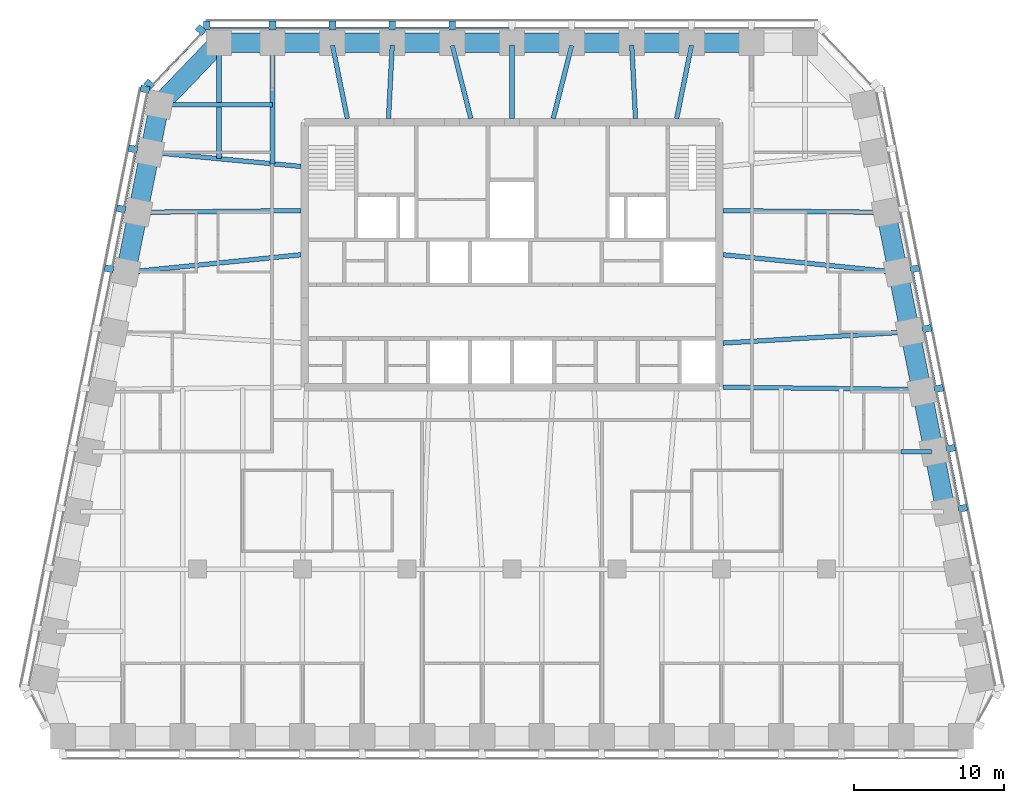
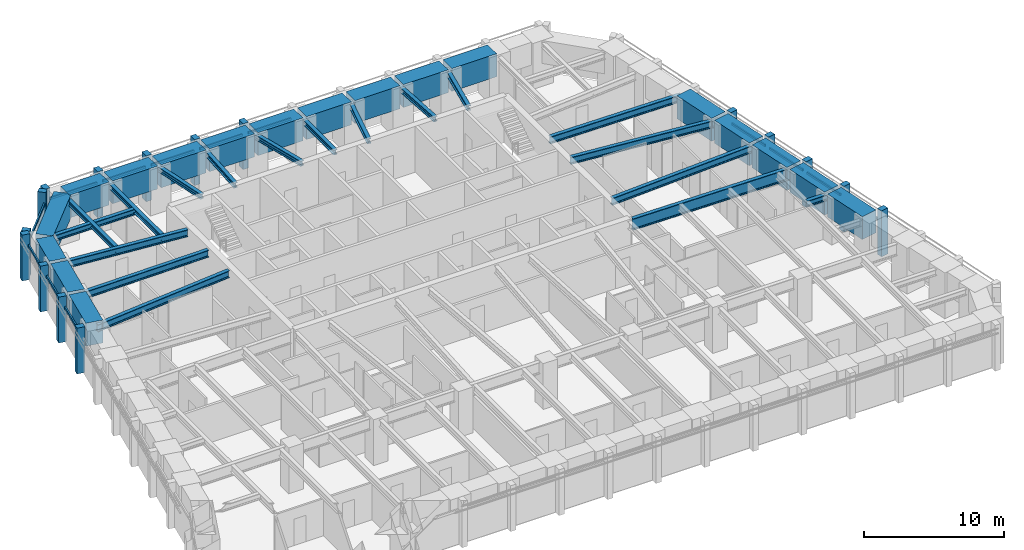
# One storey, part 3 of 11: 36 beams, 29 members, 4 elements without a shape of their own.
"""IFC4 building model written with IfcOpenShell, lengths in metres."""

import ifcopenshell
import ifcopenshell.guid

model = None  # the IFC model being written
_history = None  # IfcOwnerHistory: only IFC2X3 demands one
_inside = {}  # id of a spatial element -> (the spatial element, [elements in it])
_under = {}  # id of a project, library or spatial element -> (it, [spatial elements below it])
_declared = {}  # id of a project -> (the project, [libraries it declares])
_typed = {}  # id of a type object -> (the type object, [elements of that type])
_made_of = {}  # id of a material, layer set ... -> (it, [elements and type objects made of it])


def new_model(schema):
    """Start an empty IFC model of exactly this schema.

    Asked for "IFC4X3", IfcOpenShell would pick the latest addendum, in which some entities
    have other attributes; the version numbers below select the first issue.
    IFC2X3 requires an IfcOwnerHistory on every rooted entity: one is made here for all.
    """
    global model, _history
    if schema == "IFC4X3":
        model = ifcopenshell.file(schema_version=(4, 3, 0, 0))
    else:
        model = ifcopenshell.file(schema=schema)
    _inside.clear()
    _under.clear()
    _declared.clear()
    _typed.clear()
    _made_of.clear()
    _history = None
    if model.schema == "IFC2X3":
        org = make("IfcOrganization", Name="unknown")
        user = make(
            "IfcPersonAndOrganization",
            ThePerson=make("IfcPerson", FamilyName="unknown"),
            TheOrganization=org,
        )
        app = make(
            "IfcApplication",
            ApplicationDeveloper=org,
            Version="unknown",
            ApplicationFullName="unknown",
            ApplicationIdentifier="unknown",
        )
        _history = make(
            "IfcOwnerHistory",
            OwningUser=user,
            OwningApplication=app,
            ChangeAction="ADDED",
            CreationDate=0,
        )
    return model


def make(cls, **values):
    """One entity of the class cls with the attributes given. An attribute that is None is left unset."""
    return model.create_entity(
        cls, **{name: value for name, value in values.items() if value is not None}
    )


def rooted(cls, **values):
    """An entity with a GlobalId (a new one), such as an element, a storey or a relation."""
    return make(cls, GlobalId=ifcopenshell.guid.new(), OwnerHistory=_history, **values)


def si_unit(unit_type, name, prefix=None):
    """IfcSIUnit, for example si_unit("LENGTHUNIT", "METRE", prefix="MILLI")."""
    return make("IfcSIUnit", UnitType=unit_type, Prefix=prefix, Name=name)


def assignment(units):
    """IfcUnitAssignment: the units of a project."""
    return None if units is None else make("IfcUnitAssignment", Units=units)


def point(xyz):
    """IfcCartesianPoint."""
    return None if xyz is None else make("IfcCartesianPoint", Coordinates=xyz)


def direction(xyz):
    """IfcDirection."""
    return None if xyz is None else make("IfcDirection", DirectionRatios=xyz)


def frame(location, z_axis=None, x_axis=None):
    """IfcAxis2Placement3D, a coordinate frame: its origin and axes. An axis left out is left unset."""
    return make(
        "IfcAxis2Placement3D",
        Location=point(location),
        Axis=direction(z_axis),
        RefDirection=direction(x_axis),
    )


def frame_2d(location, x_axis=None):
    """IfcAxis2Placement2D, a coordinate frame in the plane: its origin and x axis."""
    return make(
        "IfcAxis2Placement2D", Location=point(location), RefDirection=direction(x_axis)
    )


def origin():
    """The frame at (0, 0, 0) with its axes left unset."""
    return frame((0.0, 0.0, 0.0))


def origin_2d():
    """The frame at (0, 0) in the plane with its x axis left unset."""
    return frame_2d((0.0, 0.0))


def place(relative_to, where):
    """IfcLocalPlacement: puts the frame where relative to a parent placement (None: the world)."""
    return make(
        "IfcLocalPlacement", PlacementRelTo=relative_to, RelativePlacement=where
    )


def context(
    kind, dimensions, precision=None, world=None, true_north=None, identifier=None
):
    """IfcGeometricRepresentationContext, for example the 3D "Model" context."""
    return make(
        "IfcGeometricRepresentationContext",
        ContextIdentifier=identifier,
        ContextType=kind,
        CoordinateSpaceDimension=dimensions,
        Precision=precision,
        WorldCoordinateSystem=world,
        TrueNorth=true_north,
    )


def subcontext(parent, identifier, kind, view, scale=None):
    """IfcGeometricRepresentationSubContext, for example "Body" below "Model"."""
    return make(
        "IfcGeometricRepresentationSubContext",
        ContextIdentifier=identifier,
        ContextType=kind,
        ParentContext=parent,
        TargetScale=scale,
        TargetView=view,
    )


def project(units=None, contexts=None):
    """IfcProject with its units and contexts."""
    return rooted(
        "IfcProject",
        Name="project",
        RepresentationContexts=contexts,
        UnitsInContext=assignment(units),
    )


def spatial(cls, under=None, at=None, **own):
    """A site, building, storey or space (cls), placed at a placement, below another one or the project."""
    s = rooted(cls, ObjectPlacement=at, **own)
    if under is not None:
        _under.setdefault(under.id(), (under, []))[1].append(s)
    return s


def profile(cls, at=None, kind="AREA", **sizes):
    """A parametric profile (cls). Its sizes go by their IFC names, for example OverallWidth=200.0."""
    return make(cls, ProfileType=kind, Position=at, **sizes)


def rectangle(**sizes):
    """IfcRectangleProfileDef."""
    return profile("IfcRectangleProfileDef", **sizes)


def i_section(**sizes):
    """IfcIShapeProfileDef."""
    return profile("IfcIShapeProfileDef", **sizes)


def extrude(swept, where, along, depth):
    """IfcExtrudedAreaSolid: the profile swept, set in the frame where, extruded along a direction by depth."""
    return make(
        "IfcExtrudedAreaSolid",
        SweptArea=swept,
        Position=where,
        ExtrudedDirection=direction(along),
        Depth=depth,
    )


def shape(context_of_items, identifier, shape_type, items):
    """IfcShapeRepresentation: the items that make up one representation, for example the "Body"."""
    return make(
        "IfcShapeRepresentation",
        ContextOfItems=context_of_items,
        RepresentationIdentifier=identifier,
        RepresentationType=shape_type,
        Items=items,
    )


def material(Name=None, Category=None):
    """IfcMaterial."""
    return make("IfcMaterial", Name=Name, Category=Category)


def material_profile(
    of_material, cross_section, Name=None, Category=None, Priority=None
):
    """IfcMaterialProfile: a cross section and its material."""
    return make(
        "IfcMaterialProfile",
        Name=Name,
        Material=of_material,
        Profile=cross_section,
        Priority=Priority,
        Category=Category,
    )


def profile_set(profiles, Name=None, composite=None):
    """IfcMaterialProfileSet."""
    return make(
        "IfcMaterialProfileSet",
        Name=Name,
        MaterialProfiles=profiles,
        CompositeProfile=composite,
    )


def made_of(thing, what):
    """Note that an element or type object is made of a material, layer set ...; save() writes the relation."""
    if what is not None:
        _made_of.setdefault(what.id(), (what, []))[1].append(thing)
    return thing


def type_object(cls, material=None, **own):
    """A type object (cls), such as IfcWallType, which elements share."""
    return made_of(rooted(cls, **own), material)


def element(
    cls,
    number,
    at=None,
    inside=None,
    cuts=None,
    type_object=None,
    material=None,
    context=None,
    identifier="Body",
    shape_type=None,
    held_by="IfcProductDefinitionShape",
    body=None,
    shapes=None,
    **own,
):
    """One element of the class cls, such as IfcWall. Its Tag is "e" and its number.

    at: its placement. inside: the storey or other place that contains it. cuts: it is an
    opening in that element (IfcRelVoidsElement). A single representation is given by context,
    identifier, shape_type and body (its items); several are given by shapes. held_by: the class
    of the entity that holds the representations. save() writes the other relations.
    """
    e = rooted(cls, Tag="e%d" % number, ObjectPlacement=at, **own)
    if body is not None:
        shapes = [shape(context, identifier, shape_type, body)]
    if shapes is not None:
        e.Representation = make(held_by, Representations=shapes)
    if inside is not None:
        _inside.setdefault(inside.id(), (inside, []))[1].append(e)
    if cuts is not None:
        rooted(
            "IfcRelVoidsElement", RelatingBuildingElement=cuts, RelatedOpeningElement=e
        )
    if type_object is not None:
        _typed.setdefault(type_object.id(), (type_object, []))[1].append(e)
    return made_of(e, material)


def aggregate(whole, parts):
    """IfcRelAggregates: a whole, such as a stair, and the parts it consists of."""
    return rooted("IfcRelAggregates", RelatingObject=whole, RelatedObjects=parts)


def save(model, path):
    """Write the relations noted so far, then the file.

    IfcRelAggregates (storeys below a building ...), IfcRelContainedInSpatialStructure (elements
    in a storey), IfcRelDefinesByType, IfcRelAssociatesMaterial and IfcRelDeclares: one each for
    every whole, place, type object, material and project.
    """
    for whole, parts in _under.values():
        aggregate(whole, parts)
    for where, things in _inside.values():
        rooted(
            "IfcRelContainedInSpatialStructure",
            RelatedElements=things,
            RelatingStructure=where,
        )
    for kind, things in _typed.values():
        rooted("IfcRelDefinesByType", RelatedObjects=things, RelatingType=kind)
    for what, things in _made_of.values():
        rooted("IfcRelAssociatesMaterial", RelatedObjects=things, RelatingMaterial=what)
    for by, libraries in _declared.values():
        rooted("IfcRelDeclares", RelatingContext=by, RelatedDefinitions=libraries)
    model.write(path)


model = new_model("IFC4")

# Units and contexts
model_context = context("Model", 3, precision=1e-05, world=origin(), true_north=direction((0.0, 1.0)))
body_context = subcontext(model_context, "Body", "Model", "MODEL_VIEW")
ifc_project = project(units=[si_unit("LENGTHUNIT", "METRE"), si_unit("AREAUNIT", "SQUARE_METRE"), si_unit("VOLUMEUNIT", "CUBIC_METRE"), si_unit("PLANEANGLEUNIT", "RADIAN"), si_unit("MASSUNIT", "GRAM", prefix="KILO")], contexts=[model_context])

# Site, building, storey
site_placement = place(None, origin())
site = spatial("IfcSite", under=ifc_project, at=site_placement, CompositionType="ELEMENT")
building_placement = place(site_placement, origin())
building = spatial("IfcBuilding", under=site, at=building_placement, Name="Isbrekke Arena Tower", CompositionType="ELEMENT")
storey_placement = place(building_placement, frame((0.0, 0.0, 252.0)))
storey = spatial("IfcBuildingStorey", under=building, at=storey_placement, Name="L58", CompositionType="ELEMENT", Elevation=252.0)

# Beams
ifc_material_1 = material(Name="Steel S355", Category="steel")
ifc_material_profile_1 = material_profile(ifc_material_1, i_section(OverallWidth=0.304931640625, OverallDepth=0.6201171875, WebThickness=0.02099609375, FlangeThickness=0.0400390625, FilletRadius=0.027099609375, at=origin_2d()), Name="HEM 600")
ifc_profile_set_1 = profile_set([ifc_material_profile_1], Name="Steel S355")
beam_type_1 = type_object("IfcBeamType", Name="B4 HEM 600", PredefinedType="BEAM", material=ifc_profile_set_1)
beam_1_placement = place(storey_placement, frame((26.431884765625, 9.837646484375, 3.5400390625), z_axis=(-0.998216240514, -0.059702070095, 0.0), x_axis=(0.059702070095, -0.998216240514, 0.0)))
element("IfcBeam", 1, at=beam_1_placement, inside=storey, type_object=beam_type_1, Name="B4 beam E-E07 L58", PredefinedType="BEAM", context=body_context, shape_type="SweptSolid", body=[
    extrude(i_section(OverallWidth=0.304931640625, OverallDepth=0.6201171875, WebThickness=0.02099609375, FlangeThickness=0.0400390625, FilletRadius=0.027099609375, at=origin_2d()), origin(), (0.0, 0.0, 1.0), 12.353759765625),
])
beam_2_placement = place(storey_placement, frame((25.625732421875, 13.83984375, 3.5400390625), z_axis=(-0.994972081505, 0.100152668587, 0.0), x_axis=(-0.100152668587, -0.994972081505, 0.0)))
element("IfcBeam", 2, at=beam_2_placement, inside=storey, type_object=beam_type_1, Name="B4 beam E-E08 L58", PredefinedType="BEAM", context=body_context, shape_type="SweptSolid", body=[
    extrude(i_section(OverallWidth=0.304931640625, OverallDepth=0.6201171875, WebThickness=0.02099609375, FlangeThickness=0.0400390625, FilletRadius=0.027099609375, at=origin_2d()), origin(), (0.0, 0.0, 1.0), 11.583984375),
])
beam_3_placement = place(storey_placement, frame((24.83935546875, 17.838134765625, 3.5400390625), z_axis=(-0.999945800258, 0.010411366203, 0.0), x_axis=(-0.010411366203, -0.999945800258, 0.0)))
element("IfcBeam", 3, at=beam_3_placement, inside=storey, type_object=beam_type_1, Name="B4 beam E-E09 L58", PredefinedType="BEAM", context=body_context, shape_type="SweptSolid", body=[
    extrude(i_section(OverallWidth=0.304931640625, OverallDepth=0.6201171875, WebThickness=0.02099609375, FlangeThickness=0.0400390625, FilletRadius=0.027099609375, at=origin_2d()), origin(), (0.0, 0.0, 1.0), 10.73974609375),
])
beam_4_placement = place(storey_placement, frame((-24.02685546875, 21.8369140625, 3.5400390625), z_axis=(0.995574576627, -0.093974796485, 0.0), x_axis=(0.093974796485, 0.995574576627, 0.0)))
element("IfcBeam", 4, at=beam_4_placement, inside=storey, type_object=beam_type_1, Name="B4 beam E-W02 L58", PredefinedType="BEAM", context=body_context, shape_type="SweptSolid", body=[
    extrude(i_section(OverallWidth=0.304931640625, OverallDepth=0.6201171875, WebThickness=0.02099609375, FlangeThickness=0.0400390625, FilletRadius=0.027099609375, at=origin_2d()), origin(), (0.0, 0.0, 1.0), 9.970947265625),
])
beam_5_placement = place(storey_placement, frame((-24.83935546875, 17.838134765625, 3.5400390625), z_axis=(0.999945800258, 0.010411366203, 0.0), x_axis=(-0.010411366203, 0.999945800258, 0.0)))
element("IfcBeam", 5, at=beam_5_placement, inside=storey, type_object=beam_type_1, Name="B4 beam E-W03 L58", PredefinedType="BEAM", context=body_context, shape_type="SweptSolid", body=[
    extrude(i_section(OverallWidth=0.304931640625, OverallDepth=0.6201171875, WebThickness=0.02099609375, FlangeThickness=0.0400390625, FilletRadius=0.027099609375, at=origin_2d()), origin(), (0.0, 0.0, 1.0), 10.73974609375),
])
beam_6_placement = place(storey_placement, frame((-25.625732421875, 13.83984375, 3.5400390625), z_axis=(0.994972081505, 0.100152668587, 0.0), x_axis=(-0.100152668587, 0.994972081505, 0.0)))
element("IfcBeam", 6, at=beam_6_placement, inside=storey, type_object=beam_type_1, Name="B4 beam E-W04 L58", PredefinedType="BEAM", context=body_context, shape_type="SweptSolid", body=[
    extrude(i_section(OverallWidth=0.304931640625, OverallDepth=0.6201171875, WebThickness=0.02099609375, FlangeThickness=0.0400390625, FilletRadius=0.027099609375, at=origin_2d()), origin(), (0.0, 0.0, 1.0), 11.583984375),
])
ifc_material_2 = material(Name="Steel S355", Category="steel")
ifc_material_profile_2 = material_profile(ifc_material_2, i_section(OverallWidth=0.305908203125, OverallDepth=0.52392578125, WebThickness=0.02099609375, FlangeThickness=0.0400390625, FilletRadius=0.027099609375, at=origin_2d()), Name="HEM 500")
ifc_profile_set_2 = profile_set([ifc_material_profile_2], Name="Steel S355")
beam_type_2 = type_object("IfcBeamType", Name="B5 HEM 500", PredefinedType="BEAM", material=ifc_profile_set_2)
beam_7_placement = place(storey_placement, frame((28.041015625, 1.838134765625, 3.587890625), z_axis=(-1.0, 0.0, 0.0), x_axis=(0.0, -1.0, 0.0)))
element("IfcBeam", 7, at=beam_7_placement, inside=storey, type_object=beam_type_2, Name="B5 beam E-E05 L58", PredefinedType="BEAM", context=body_context, shape_type="SweptSolid", body=[
    extrude(i_section(OverallWidth=0.305908203125, OverallDepth=0.52392578125, WebThickness=0.02099609375, FlangeThickness=0.0400390625, FilletRadius=0.027099609375, at=origin_2d()), origin(), (0.0, 0.0, 1.0), 2.041015625),
])
beam_8_placement = place(storey_placement, frame((-23.40283203125, 25.029296875, 3.587890625), z_axis=(1.0, 0.0, 0.0), x_axis=(0.0, 1.0, 0.0)))
element("IfcBeam", 8, at=beam_8_placement, inside=storey, type_object=beam_type_2, Name="B5 beam E-W01 L58", PredefinedType="BEAM", context=body_context, shape_type="SweptSolid", body=[
    extrude(i_section(OverallWidth=0.305908203125, OverallDepth=0.52392578125, WebThickness=0.02099609375, FlangeThickness=0.0400390625, FilletRadius=0.027099609375, at=origin_2d()), origin(), (0.0, 0.0, 1.0), 7.40283203125),
])
ifc_material_3 = material(Name="Steel S355", Category="steel")
ifc_material_profile_3 = material_profile(ifc_material_3, i_section(OverallWidth=0.306884765625, OverallDepth=0.431884765625, WebThickness=0.02099609375, FlangeThickness=0.0400390625, FilletRadius=0.027099609375, at=origin_2d()), Name="HEM 400")
ifc_profile_set_3 = profile_set([ifc_material_profile_3], Name="Steel S355")
beam_type_3 = type_object("IfcBeamType", Name="B6 HEM 400", PredefinedType="BEAM", material=ifc_profile_set_3)
beam_9_placement = place(storey_placement, frame((-16.0, 29.02490234375, 3.634033203125), z_axis=(0.0, -1.0, 0.0), x_axis=(1.0, 0.0, 0.0)))
element("IfcBeam", 9, at=beam_9_placement, inside=storey, type_object=beam_type_3, Name="B6 beam N-N10 L58", PredefinedType="BEAM", context=body_context, shape_type="SweptSolid", body=[
    extrude(i_section(OverallWidth=0.306884765625, OverallDepth=0.431884765625, WebThickness=0.02099609375, FlangeThickness=0.0400390625, FilletRadius=0.027099609375, at=origin_2d()), origin(), (0.0, 0.0, 1.0), 7.945556640625),
])
beam_10_placement = place(storey_placement, frame((-19.574951171875, 29.02490234375, 3.634033203125), z_axis=(0.0, -1.0, 0.0), x_axis=(1.0, 0.0, 0.0)))
element("IfcBeam", 10, at=beam_10_placement, inside=storey, type_object=beam_type_3, Name="B6 beam N-N11 L58", PredefinedType="BEAM", context=body_context, shape_type="SweptSolid", body=[
    extrude(i_section(OverallWidth=0.306884765625, OverallDepth=0.431884765625, WebThickness=0.02099609375, FlangeThickness=0.0400390625, FilletRadius=0.027099609375, at=origin_2d()), origin(), (0.0, 0.0, 1.0), 7.608154296875),
])
beam_11_placement = place(storey_placement, frame((11.993896484375, 28.9951171875, 3.634033203125), z_axis=(-0.198982177337, -0.980003108721, 0.0), x_axis=(0.980003108721, -0.198982177337, 0.0)))
element("IfcBeam", 11, at=beam_11_placement, inside=storey, type_object=beam_type_3, Name="B6 beam N-N03 L58", PredefinedType="BEAM", context=body_context, shape_type="SweptSolid", body=[
    extrude(i_section(OverallWidth=0.306884765625, OverallDepth=0.431884765625, WebThickness=0.02099609375, FlangeThickness=0.0400390625, FilletRadius=0.027099609375, at=origin_2d()), origin(), (0.0, 0.0, 1.0), 4.994873046875),
])
beam_12_placement = place(storey_placement, frame((8.00048828125, 29.017333984375, 3.634033203125), z_axis=(0.050677067868, -0.998715091902, 0.0), x_axis=(0.998715091902, 0.050677067868, 0.0)))
element("IfcBeam", 12, at=beam_12_placement, inside=storey, type_object=beam_type_3, Name="B6 beam N-N04 L58", PredefinedType="BEAM", context=body_context, shape_type="SweptSolid", body=[
    extrude(i_section(OverallWidth=0.306884765625, OverallDepth=0.431884765625, WebThickness=0.02099609375, FlangeThickness=0.0400390625, FilletRadius=0.027099609375, at=origin_2d()), origin(), (0.0, 0.0, 1.0), 4.923583984375),
])
beam_13_placement = place(storey_placement, frame((3.99072265625, 28.98828125, 3.634033203125), z_axis=(-0.246019579109, -0.969264858898, 0.0), x_axis=(0.969264858898, -0.246019579109, 0.0)))
element("IfcBeam", 13, at=beam_13_placement, inside=storey, type_object=beam_type_3, Name="B6 beam N-N05 L58", PredefinedType="BEAM", context=body_context, shape_type="SweptSolid", body=[
    extrude(i_section(OverallWidth=0.306884765625, OverallDepth=0.431884765625, WebThickness=0.02099609375, FlangeThickness=0.0400390625, FilletRadius=0.027099609375, at=origin_2d()), origin(), (0.0, 0.0, 1.0), 5.043212890625),
])
beam_14_placement = place(storey_placement, frame((0.0, 29.02490234375, 3.634033203125), z_axis=(0.0, -1.0, 0.0), x_axis=(1.0, 0.0, 0.0)))
element("IfcBeam", 14, at=beam_14_placement, inside=storey, type_object=beam_type_3, Name="B6 beam N-N06 L58", PredefinedType="BEAM", context=body_context, shape_type="SweptSolid", body=[
    extrude(i_section(OverallWidth=0.306884765625, OverallDepth=0.431884765625, WebThickness=0.02099609375, FlangeThickness=0.0400390625, FilletRadius=0.027099609375, at=origin_2d()), origin(), (0.0, 0.0, 1.0), 4.9248046875),
])
beam_15_placement = place(storey_placement, frame((-3.99072265625, 28.98828125, 3.634033203125), z_axis=(0.246019579109, -0.969264858898, 0.0), x_axis=(0.969264858898, 0.246019579109, 0.0)))
element("IfcBeam", 15, at=beam_15_placement, inside=storey, type_object=beam_type_3, Name="B6 beam N-N07 L58", PredefinedType="BEAM", context=body_context, shape_type="SweptSolid", body=[
    extrude(i_section(OverallWidth=0.306884765625, OverallDepth=0.431884765625, WebThickness=0.02099609375, FlangeThickness=0.0400390625, FilletRadius=0.027099609375, at=origin_2d()), origin(), (0.0, 0.0, 1.0), 5.043212890625),
])
beam_16_placement = place(storey_placement, frame((-8.00048828125, 29.017333984375, 3.634033203125), z_axis=(-0.050677067868, -0.998715091902, 0.0), x_axis=(0.998715091902, -0.050677067868, 0.0)))
element("IfcBeam", 16, at=beam_16_placement, inside=storey, type_object=beam_type_3, Name="B6 beam N-N08 L58", PredefinedType="BEAM", context=body_context, shape_type="SweptSolid", body=[
    extrude(i_section(OverallWidth=0.306884765625, OverallDepth=0.431884765625, WebThickness=0.02099609375, FlangeThickness=0.0400390625, FilletRadius=0.027099609375, at=origin_2d()), origin(), (0.0, 0.0, 1.0), 4.923583984375),
])
beam_17_placement = place(storey_placement, frame((-11.993896484375, 28.9951171875, 3.634033203125), z_axis=(0.198982177337, -0.980003108721, 0.0), x_axis=(0.980003108721, 0.198982177337, 0.0)))
element("IfcBeam", 17, at=beam_17_placement, inside=storey, type_object=beam_type_3, Name="B6 beam N-N09 L58", PredefinedType="BEAM", context=body_context, shape_type="SweptSolid", body=[
    extrude(i_section(OverallWidth=0.306884765625, OverallDepth=0.431884765625, WebThickness=0.02099609375, FlangeThickness=0.0400390625, FilletRadius=0.027099609375, at=origin_2d()), origin(), (0.0, 0.0, 1.0), 4.994873046875),
])

# Curtain wall, members
ifc_material_4 = material(Name="Glazed aluminium curtain wall", Category="aluminium")
curtain_wall_type = type_object("IfcCurtainWallType", Name="CWT TOWER CURTAIN WALL TOP ZONE", PredefinedType="USERDEFINED", material=ifc_material_4)
curtain_wall_1_placement = place(storey_placement, origin())
curtain_wall_1 = element("IfcCurtainWall", 18, at=curtain_wall_1_placement, inside=storey, type_object=curtain_wall_type, Name="CWT curtain wall L58-E", ObjectType="TOWER CURTAIN WALL TOP ZONE", PredefinedType="USERDEFINED")
ifc_material_5 = material(Name="Copper-clad aluminium mullion", Category="aluminium")
ifc_material_profile_4 = material_profile(ifc_material_5, rectangle(XDim=0.449951171875, YDim=0.60009765625, at=origin_2d()), Name="PIER 450X600")
ifc_profile_set_4 = profile_set([ifc_material_profile_4], Name="Copper-clad aluminium mullion")
member_type_1 = type_object("IfcMemberType", Name="CWT-M PIER MULLION 450 x 600", PredefinedType="MULLION", material=ifc_profile_set_4)
member_1_placement = place(storey_placement, frame((30.11865234375, -1.936279296875, 0.0), z_axis=(0.0, 0.0, 1.0), x_axis=(-0.196116135138, 0.980580675691, 0.0)))
member_1 = element("IfcMember", 19, at=member_1_placement, type_object=member_type_1, Name="CWT-M mullion 4", PredefinedType="MULLION", context=body_context, shape_type="SweptSolid", body=[
    extrude(rectangle(XDim=0.449951171875, YDim=0.60009765625, at=origin_2d()), origin(), (0.0, 0.0, 1.0), 4.0),
])
member_2_placement = place(storey_placement, frame((29.318603515625, 2.063720703125, 0.0), z_axis=(0.0, 0.0, 1.0), x_axis=(-0.196116135138, 0.980580675691, 0.0)))
member_2 = element("IfcMember", 20, at=member_2_placement, type_object=member_type_1, Name="CWT-M mullion 5", PredefinedType="MULLION", context=body_context, shape_type="SweptSolid", body=[
    extrude(rectangle(XDim=0.449951171875, YDim=0.60009765625, at=origin_2d()), origin(), (0.0, 0.0, 1.0), 4.0),
])
member_3_placement = place(storey_placement, frame((28.518798828125, 6.063720703125, 0.0), z_axis=(0.0, 0.0, 1.0), x_axis=(-0.196116135138, 0.980580675691, 0.0)))
member_3 = element("IfcMember", 21, at=member_3_placement, type_object=member_type_1, Name="CWT-M mullion 6", PredefinedType="MULLION", context=body_context, shape_type="SweptSolid", body=[
    extrude(rectangle(XDim=0.449951171875, YDim=0.60009765625, at=origin_2d()), origin(), (0.0, 0.0, 1.0), 4.0),
])
member_4_placement = place(storey_placement, frame((27.71875, 10.063720703125, 0.0), z_axis=(0.0, 0.0, 1.0), x_axis=(-0.196116135138, 0.980580675691, 0.0)))
member_4 = element("IfcMember", 22, at=member_4_placement, type_object=member_type_1, Name="CWT-M mullion 7", PredefinedType="MULLION", context=body_context, shape_type="SweptSolid", body=[
    extrude(rectangle(XDim=0.449951171875, YDim=0.60009765625, at=origin_2d()), origin(), (0.0, 0.0, 1.0), 4.0),
])
member_5_placement = place(storey_placement, frame((26.918701171875, 14.063720703125, 0.0), z_axis=(0.0, 0.0, 1.0), x_axis=(-0.196116135138, 0.980580675691, 0.0)))
member_5 = element("IfcMember", 23, at=member_5_placement, type_object=member_type_1, Name="CWT-M mullion 8", PredefinedType="MULLION", context=body_context, shape_type="SweptSolid", body=[
    extrude(rectangle(XDim=0.449951171875, YDim=0.60009765625, at=origin_2d()), origin(), (0.0, 0.0, 1.0), 4.0),
])

curtain_wall_2_placement = place(storey_placement, origin())
curtain_wall_2 = element("IfcCurtainWall", 24, at=curtain_wall_2_placement, inside=storey, type_object=curtain_wall_type, Name="CWT curtain wall L58-N", ObjectType="TOWER CURTAIN WALL TOP ZONE", PredefinedType="USERDEFINED")
member_6_placement = place(storey_placement, frame((-4.0, 30.324951171875, 0.0), z_axis=(0.0, 0.0, 1.0), x_axis=(-1.0, 0.0, 0.0)))
member_6 = element("IfcMember", 25, at=member_6_placement, type_object=member_type_1, Name="CWT-M mullion 7", PredefinedType="MULLION", context=body_context, shape_type="SweptSolid", body=[
    extrude(rectangle(XDim=0.449951171875, YDim=0.60009765625, at=origin_2d()), origin(), (0.0, 0.0, 1.0), 4.0),
])
member_7_placement = place(storey_placement, frame((-8.0, 30.324951171875, 0.0), z_axis=(0.0, 0.0, 1.0), x_axis=(-1.0, 0.0, 0.0)))
member_7 = element("IfcMember", 26, at=member_7_placement, type_object=member_type_1, Name="CWT-M mullion 8", PredefinedType="MULLION", context=body_context, shape_type="SweptSolid", body=[
    extrude(rectangle(XDim=0.449951171875, YDim=0.60009765625, at=origin_2d()), origin(), (0.0, 0.0, 1.0), 4.0),
])
member_8_placement = place(storey_placement, frame((-12.0, 30.324951171875, 0.0), z_axis=(0.0, 0.0, 1.0), x_axis=(-1.0, 0.0, 0.0)))
member_8 = element("IfcMember", 27, at=member_8_placement, type_object=member_type_1, Name="CWT-M mullion 9", PredefinedType="MULLION", context=body_context, shape_type="SweptSolid", body=[
    extrude(rectangle(XDim=0.449951171875, YDim=0.60009765625, at=origin_2d()), origin(), (0.0, 0.0, 1.0), 4.0),
])
member_9_placement = place(storey_placement, frame((-16.0, 30.324951171875, 0.0), z_axis=(0.0, 0.0, 1.0), x_axis=(-1.0, 0.0, 0.0)))
member_9 = element("IfcMember", 28, at=member_9_placement, type_object=member_type_1, Name="CWT-M mullion 10", PredefinedType="MULLION", context=body_context, shape_type="SweptSolid", body=[
    extrude(rectangle(XDim=0.449951171875, YDim=0.60009765625, at=origin_2d()), origin(), (0.0, 0.0, 1.0), 4.0),
])
member_10_placement = place(storey_placement, frame((-20.39990234375, 30.324951171875, 0.0), z_axis=(0.0, 0.0, 1.0), x_axis=(-1.0, 0.0, 0.0)))
member_10 = element("IfcMember", 29, at=member_10_placement, type_object=member_type_1, Name="CWT-M mullion 11", PredefinedType="MULLION", context=body_context, shape_type="SweptSolid", body=[
    extrude(rectangle(XDim=0.449951171875, YDim=0.60009765625, at=origin_2d()), origin(), (0.0, 0.0, 1.0), 4.0),
])

curtain_wall_3_placement = place(storey_placement, origin())
curtain_wall_3 = element("IfcCurtainWall", 30, at=curtain_wall_3_placement, inside=storey, type_object=curtain_wall_type, Name="CWT curtain wall L58-NW", ObjectType="TOWER CURTAIN WALL TOP ZONE", PredefinedType="USERDEFINED")
member_11_placement = place(storey_placement, frame((-20.795166015625, 30.01953125, 0.0), z_axis=(0.0, 0.0, 1.0), x_axis=(-0.68874946192, -0.72499943359, 0.0)))
member_11 = element("IfcMember", 31, at=member_11_placement, type_object=member_type_1, Name="CWT-M mullion 1", PredefinedType="MULLION", context=body_context, shape_type="SweptSolid", body=[
    extrude(rectangle(XDim=0.449951171875, YDim=0.60009765625, at=origin_2d()), origin(), (0.0, 0.0, 1.0), 4.0),
])
member_12_placement = place(storey_placement, frame((-24.243896484375, 26.389404296875, 0.0), z_axis=(0.0, 0.0, 1.0), x_axis=(-0.68874946192, -0.72499943359, 0.0)))
member_12 = element("IfcMember", 32, at=member_12_placement, type_object=member_type_1, Name="CWT-M mullion 2", PredefinedType="MULLION", context=body_context, shape_type="SweptSolid", body=[
    extrude(rectangle(XDim=0.449951171875, YDim=0.60009765625, at=origin_2d()), origin(), (0.0, 0.0, 1.0), 4.0),
])

curtain_wall_4_placement = place(storey_placement, origin())
curtain_wall_4 = element("IfcCurtainWall", 33, at=curtain_wall_4_placement, inside=storey, type_object=curtain_wall_type, Name="CWT curtain wall L58-W", ObjectType="TOWER CURTAIN WALL TOP ZONE", PredefinedType="USERDEFINED")
member_13_placement = place(storey_placement, frame((-24.518798828125, 26.063720703125, 0.0), z_axis=(0.0, 0.0, 1.0), x_axis=(-0.196116135138, -0.980580675691, 0.0)))
member_13 = element("IfcMember", 34, at=member_13_placement, type_object=member_type_1, Name="CWT-M mullion 1", PredefinedType="MULLION", context=body_context, shape_type="SweptSolid", body=[
    extrude(rectangle(XDim=0.449951171875, YDim=0.60009765625, at=origin_2d()), origin(), (0.0, 0.0, 1.0), 4.0),
])
member_14_placement = place(storey_placement, frame((-25.318603515625, 22.063720703125, 0.0), z_axis=(0.0, 0.0, 1.0), x_axis=(-0.196116135138, -0.980580675691, 0.0)))
member_14 = element("IfcMember", 35, at=member_14_placement, type_object=member_type_1, Name="CWT-M mullion 2", PredefinedType="MULLION", context=body_context, shape_type="SweptSolid", body=[
    extrude(rectangle(XDim=0.449951171875, YDim=0.60009765625, at=origin_2d()), origin(), (0.0, 0.0, 1.0), 4.0),
])
member_15_placement = place(storey_placement, frame((-26.11865234375, 18.063720703125, 0.0), z_axis=(0.0, 0.0, 1.0), x_axis=(-0.196116135138, -0.980580675691, 0.0)))
member_15 = element("IfcMember", 36, at=member_15_placement, type_object=member_type_1, Name="CWT-M mullion 3", PredefinedType="MULLION", context=body_context, shape_type="SweptSolid", body=[
    extrude(rectangle(XDim=0.449951171875, YDim=0.60009765625, at=origin_2d()), origin(), (0.0, 0.0, 1.0), 4.0),
])
member_16_placement = place(storey_placement, frame((-26.918701171875, 14.063720703125, 0.0), z_axis=(0.0, 0.0, 1.0), x_axis=(-0.196116135138, -0.980580675691, 0.0)))
member_16 = element("IfcMember", 37, at=member_16_placement, type_object=member_type_1, Name="CWT-M mullion 4", PredefinedType="MULLION", context=body_context, shape_type="SweptSolid", body=[
    extrude(rectangle(XDim=0.449951171875, YDim=0.60009765625, at=origin_2d()), origin(), (0.0, 0.0, 1.0), 4.0),
])

# Member
ifc_material_6 = material(Name="Aluminium transom", Category="aluminium")
ifc_material_profile_5 = material_profile(ifc_material_6, rectangle(XDim=0.1201171875, YDim=0.199951171875, at=origin_2d()), Name="TRANSOM 120X200")
ifc_profile_set_5 = profile_set([ifc_material_profile_5], Name="Aluminium transom")
member_type_2 = type_object("IfcMemberType", Name="CWT-T TRANSOM 120 x 200", PredefinedType="USERDEFINED", material=ifc_profile_set_5)
member_17_placement = place(storey_placement, frame((29.87841796875, -1.7548828125, 3.0), z_axis=(-0.196090262229, 0.980585849918, 0.0), x_axis=(-0.980585849918, -0.196090262229, 0.0)))
member_17 = element("IfcMember", 38, at=member_17_placement, type_object=member_type_2, Name="CWT-T transom 4", ObjectType="TRANSOM", PredefinedType="USERDEFINED", context=body_context, shape_type="SweptSolid", body=[
    extrude(rectangle(XDim=0.1201171875, YDim=0.199951171875, at=origin_2d()), origin(), (0.0, 0.0, 1.0), 3.62939453125),
])

member_18_placement = place(storey_placement, frame((29.078369140625, 2.2451171875, 3.0), z_axis=(-0.196090262229, 0.980585849918, 0.0), x_axis=(-0.980585849918, -0.196090262229, 0.0)))
member_18 = element("IfcMember", 39, at=member_18_placement, type_object=member_type_2, Name="CWT-T transom 5", ObjectType="TRANSOM", PredefinedType="USERDEFINED", context=body_context, shape_type="SweptSolid", body=[
    extrude(rectangle(XDim=0.1201171875, YDim=0.199951171875, at=origin_2d()), origin(), (0.0, 0.0, 1.0), 3.62939453125),
])

member_19_placement = place(storey_placement, frame((28.278564453125, 6.2451171875, 3.0), z_axis=(-0.196154943734, 0.980572913173, 0.0), x_axis=(-0.980572913173, -0.196154943734, 0.0)))
member_19 = element("IfcMember", 40, at=member_19_placement, type_object=member_type_2, Name="CWT-T transom 6", ObjectType="TRANSOM", PredefinedType="USERDEFINED", context=body_context, shape_type="SweptSolid", body=[
    extrude(rectangle(XDim=0.1201171875, YDim=0.199951171875, at=origin_2d()), origin(), (0.0, 0.0, 1.0), 3.62939453125),
])

member_20_placement = place(storey_placement, frame((27.478515625, 10.2451171875, 3.0), z_axis=(-0.196154943734, 0.980572913173, 0.0), x_axis=(-0.980572913173, -0.196154943734, 0.0)))
member_20 = element("IfcMember", 41, at=member_20_placement, type_object=member_type_2, Name="CWT-T transom 7", ObjectType="TRANSOM", PredefinedType="USERDEFINED", context=body_context, shape_type="SweptSolid", body=[
    extrude(rectangle(XDim=0.1201171875, YDim=0.199951171875, at=origin_2d()), origin(), (0.0, 0.0, 1.0), 3.62939453125),
])

aggregate(curtain_wall_1, [member_1, member_2, member_3, member_4, member_5, member_17, member_18, member_19, member_20])

member_21_placement = place(storey_placement, frame((-0.22509765625, 30.125, 3.0), z_axis=(-1.0, 0.0, 0.0), x_axis=(0.0, -1.0, 0.0)))
member_21 = element("IfcMember", 42, at=member_21_placement, type_object=member_type_2, Name="CWT-T transom 6", ObjectType="TRANSOM", PredefinedType="USERDEFINED", context=body_context, shape_type="SweptSolid", body=[
    extrude(rectangle(XDim=0.1201171875, YDim=0.199951171875, at=origin_2d()), origin(), (0.0, 0.0, 1.0), 3.5498046875),
])

member_22_placement = place(storey_placement, frame((-4.22509765625, 30.125, 3.0), z_axis=(-1.0, 0.0, 0.0), x_axis=(0.0, -1.0, 0.0)))
member_22 = element("IfcMember", 43, at=member_22_placement, type_object=member_type_2, Name="CWT-T transom 7", ObjectType="TRANSOM", PredefinedType="USERDEFINED", context=body_context, shape_type="SweptSolid", body=[
    extrude(rectangle(XDim=0.1201171875, YDim=0.199951171875, at=origin_2d()), origin(), (0.0, 0.0, 1.0), 3.5498046875),
])

member_23_placement = place(storey_placement, frame((-8.22509765625, 30.125, 3.0), z_axis=(-1.0, 0.0, 0.0), x_axis=(0.0, -1.0, 0.0)))
member_23 = element("IfcMember", 44, at=member_23_placement, type_object=member_type_2, Name="CWT-T transom 8", ObjectType="TRANSOM", PredefinedType="USERDEFINED", context=body_context, shape_type="SweptSolid", body=[
    extrude(rectangle(XDim=0.1201171875, YDim=0.199951171875, at=origin_2d()), origin(), (0.0, 0.0, 1.0), 3.5498046875),
])

member_24_placement = place(storey_placement, frame((-12.22509765625, 30.125, 3.0), z_axis=(-1.0, 0.0, 0.0), x_axis=(0.0, -1.0, 0.0)))
member_24 = element("IfcMember", 45, at=member_24_placement, type_object=member_type_2, Name="CWT-T transom 9", ObjectType="TRANSOM", PredefinedType="USERDEFINED", context=body_context, shape_type="SweptSolid", body=[
    extrude(rectangle(XDim=0.1201171875, YDim=0.199951171875, at=origin_2d()), origin(), (0.0, 0.0, 1.0), 3.5498046875),
])

member_25_placement = place(storey_placement, frame((-16.22509765625, 30.125, 3.0), z_axis=(-1.0, 0.0, 0.0), x_axis=(0.0, -1.0, 0.0)))
member_25 = element("IfcMember", 46, at=member_25_placement, type_object=member_type_2, Name="CWT-T transom 10", ObjectType="TRANSOM", PredefinedType="USERDEFINED", context=body_context, shape_type="SweptSolid", body=[
    extrude(rectangle(XDim=0.1201171875, YDim=0.199951171875, at=origin_2d()), origin(), (0.0, 0.0, 1.0), 3.949951171875),
])

aggregate(curtain_wall_2, [member_6, member_7, member_8, member_9, member_10, member_21, member_22, member_23, member_24, member_25])

member_26_placement = place(storey_placement, frame((-20.80517578125, 29.71875, 3.0), z_axis=(-0.688739606035, -0.725008796552, 0.0), x_axis=(0.725008796552, -0.688739606035, 0.0)))
member_26 = element("IfcMember", 47, at=member_26_placement, type_object=member_type_2, Name="CWT-T transom 1", ObjectType="TRANSOM", PredefinedType="USERDEFINED", context=body_context, shape_type="SweptSolid", body=[
    extrude(rectangle(XDim=0.1201171875, YDim=0.199951171875, at=origin_2d()), origin(), (0.0, 0.0, 1.0), 4.55712890625),
])

aggregate(curtain_wall_3, [member_11, member_12, member_26])

member_27_placement = place(storey_placement, frame((-24.36669921875, 25.803955078125, 3.0), z_axis=(-0.196090262229, -0.980585849918, 0.0), x_axis=(0.980585849918, -0.196090262229, 0.0)))
member_27 = element("IfcMember", 48, at=member_27_placement, type_object=member_type_2, Name="CWT-T transom 1", ObjectType="TRANSOM", PredefinedType="USERDEFINED", context=body_context, shape_type="SweptSolid", body=[
    extrude(rectangle(XDim=0.1201171875, YDim=0.199951171875, at=origin_2d()), origin(), (0.0, 0.0, 1.0), 3.62939453125),
])

member_28_placement = place(storey_placement, frame((-25.166748046875, 21.803955078125, 3.0), z_axis=(-0.196090262229, -0.980585849918, 0.0), x_axis=(0.980585849918, -0.196090262229, 0.0)))
member_28 = element("IfcMember", 49, at=member_28_placement, type_object=member_type_2, Name="CWT-T transom 2", ObjectType="TRANSOM", PredefinedType="USERDEFINED", context=body_context, shape_type="SweptSolid", body=[
    extrude(rectangle(XDim=0.1201171875, YDim=0.199951171875, at=origin_2d()), origin(), (0.0, 0.0, 1.0), 3.62939453125),
])

member_29_placement = place(storey_placement, frame((-25.966796875, 17.803955078125, 3.0), z_axis=(-0.196090262229, -0.980585849918, 0.0), x_axis=(0.980585849918, -0.196090262229, 0.0)))
member_29 = element("IfcMember", 50, at=member_29_placement, type_object=member_type_2, Name="CWT-T transom 3", ObjectType="TRANSOM", PredefinedType="USERDEFINED", context=body_context, shape_type="SweptSolid", body=[
    extrude(rectangle(XDim=0.1201171875, YDim=0.199951171875, at=origin_2d()), origin(), (0.0, 0.0, 1.0), 3.62939453125),
])

aggregate(curtain_wall_4, [member_13, member_14, member_15, member_16, member_27, member_28, member_29])

# Beams
ifc_material_7 = material(Name="Steel S355", Category="steel")
ifc_material_profile_6 = material_profile(ifc_material_7, i_section(OverallWidth=0.302001953125, OverallDepth=1.008056640625, WebThickness=0.02099609375, FlangeThickness=0.0400390625, FilletRadius=0.030029296875, at=origin_2d()), Name="HEM 1000")
ifc_profile_set_6 = profile_set([ifc_material_profile_6], Name="Steel S355")
beam_type_4 = type_object("IfcBeamType", Name="G2 HEM 1000", PredefinedType="BEAM", material=ifc_profile_set_6)
beam_18_placement = place(storey_placement, frame((14.10009765625, 6.14990234375, 3.345947265625), z_axis=(0.999936387749, -0.011279204565, 0.0), x_axis=(0.011279204565, 0.999936387749, 0.0)))
element("IfcBeam", 51, at=beam_18_placement, inside=storey, type_object=beam_type_4, Name="G2 beam G2-E L58", PredefinedType="BEAM", context=body_context, shape_type="SweptSolid", body=[
    extrude(i_section(OverallWidth=0.302001953125, OverallDepth=1.008056640625, WebThickness=0.02099609375, FlangeThickness=0.0400390625, FilletRadius=0.030029296875, at=origin_2d()), origin(), (0.0, 0.0, 1.0), 13.2900390625),
])
ifc_material_8 = material(Name="Concrete B55 (C55/67)", Category="concrete")
ifc_material_profile_7 = material_profile(ifc_material_8, rectangle(XDim=1.300048828125, YDim=2.0, at=origin_2d()), Name="RC 1300x2000")
ifc_profile_set_7 = profile_set([ifc_material_profile_7], Name="Concrete B55 (C55/67)")
beam_type_5 = type_object("IfcBeamType", Name="SB4 RC 1300 x 2000", PredefinedType="SPANDREL", material=ifc_profile_set_7)
for number, where, z_axis, x_axis, name in (
    (52, (28.961669921875, -2.0146484375, 3.0), (-0.196128558387, 0.980578190959, 0.0), (-0.980578190959, -0.196128558387, 0.0), "SB4 spandrel E04-E05 L58"),
    (53, (28.16162109375, 1.9853515625, 3.0), (-0.196128558387, 0.980578190959, 0.0), (-0.980578190959, -0.196128558387, 0.0), "SB4 spandrel E05-E06 L58"),
    (54, (27.361572265625, 5.9853515625, 3.0), (-0.196128558387, 0.980578190959, 0.0), (-0.980578190959, -0.196128558387, 0.0), "SB4 spandrel E06-E07 L58"),
):
    element("IfcBeam", number, at=place(storey_placement, frame(where, z_axis=z_axis, x_axis=x_axis)), inside=storey, type_object=beam_type_5, Name=name, PredefinedType="SPANDREL", context=body_context, shape_type="SweptSolid", body=[
        extrude(rectangle(XDim=1.300048828125, YDim=2.0, at=origin_2d()), origin(), (0.0, 0.0, 1.0), 3.779296875),
    ])
beam_19_placement = place(storey_placement, frame((26.5615234375, 9.9853515625, 3.0), z_axis=(-0.1960664412, 0.980590613169, 0.0), x_axis=(-0.980590613169, -0.1960664412, 0.0)))
element("IfcBeam", 55, at=beam_19_placement, inside=storey, type_object=beam_type_5, Name="SB4 spandrel E07-E08 L58", PredefinedType="SPANDREL", context=body_context, shape_type="SweptSolid", body=[
    extrude(rectangle(XDim=1.300048828125, YDim=2.0, at=origin_2d()), origin(), (0.0, 0.0, 1.0), 3.779052734375),
])
beam_20_placement = place(storey_placement, frame((25.76171875, 13.9853515625, 3.0), z_axis=(-0.196128558387, 0.980578190959, 0.0), x_axis=(-0.980578190959, -0.196128558387, 0.0)))
element("IfcBeam", 56, at=beam_20_placement, inside=storey, type_object=beam_type_5, Name="SB4 spandrel E08-E09 L58", PredefinedType="SPANDREL", context=body_context, shape_type="SweptSolid", body=[
    extrude(rectangle(XDim=1.300048828125, YDim=2.0, at=origin_2d()), origin(), (0.0, 0.0, 1.0), 3.779296875),
])
for number, where, z_axis, x_axis, name in (
    (57, (15.85009765625, 29.175048828125, 3.0), (-1.0, 0.0, 0.0), (0.0, -1.0, 0.0), "SB4 spandrel N02-N03 L58"),
    (58, (11.85009765625, 29.175048828125, 3.0), (-1.0, 0.0, 0.0), (0.0, -1.0, 0.0), "SB4 spandrel N03-N04 L58"),
    (59, (7.85009765625, 29.175048828125, 3.0), (-1.0, 0.0, 0.0), (0.0, -1.0, 0.0), "SB4 spandrel N04-N05 L58"),
    (60, (3.85009765625, 29.175048828125, 3.0), (-1.0, 0.0, 0.0), (0.0, -1.0, 0.0), "SB4 spandrel N05-N06 L58"),
    (61, (-0.14990234375, 29.175048828125, 3.0), (-1.0, 0.0, 0.0), (0.0, -1.0, 0.0), "SB4 spandrel N06-N07 L58"),
    (62, (-4.14990234375, 29.175048828125, 3.0), (-1.0, 0.0, 0.0), (0.0, -1.0, 0.0), "SB4 spandrel N07-N08 L58"),
    (63, (-8.14990234375, 29.175048828125, 3.0), (-1.0, 0.0, 0.0), (0.0, -1.0, 0.0), "SB4 spandrel N08-N09 L58"),
    (64, (-12.14990234375, 29.175048828125, 3.0), (-1.0, 0.0, 0.0), (0.0, -1.0, 0.0), "SB4 spandrel N09-N10 L58"),
):
    element("IfcBeam", number, at=place(storey_placement, frame(where, z_axis=z_axis, x_axis=x_axis)), inside=storey, type_object=beam_type_5, Name=name, PredefinedType="SPANDREL", context=body_context, shape_type="SweptSolid", body=[
        extrude(rectangle(XDim=1.300048828125, YDim=2.0, at=origin_2d()), origin(), (0.0, 0.0, 1.0), 3.7001953125),
    ])
beam_21_placement = place(storey_placement, frame((-16.14990234375, 29.175048828125, 3.0), z_axis=(-1.0, 0.0, 0.0), x_axis=(0.0, -1.0, 0.0)))
element("IfcBeam", 65, at=beam_21_placement, inside=storey, type_object=beam_type_5, Name="SB4 spandrel N10-N11 L58", PredefinedType="SPANDREL", context=body_context, shape_type="SweptSolid", body=[
    extrude(rectangle(XDim=1.300048828125, YDim=2.0, at=origin_2d()), origin(), (0.0, 0.0, 1.0), 3.275146484375),
])
beam_22_placement = place(storey_placement, frame((-19.678955078125, 29.066650390625, 3.0), z_axis=(-0.692339547635, -0.721571861134, 0.0), x_axis=(0.721571861134, -0.692339547635, 0.0)))
element("IfcBeam", 66, at=beam_22_placement, inside=storey, type_object=beam_type_5, Name="SB4 spandrel N11-W01 L58", PredefinedType="SPANDREL", context=body_context, shape_type="SweptSolid", body=[
    extrude(rectangle(XDim=1.300048828125, YDim=2.0, at=origin_2d()), origin(), (0.0, 0.0, 1.0), 5.4453125),
])
beam_23_placement = place(storey_placement, frame((-23.582275390625, 24.882080078125, 3.0), z_axis=(-0.196116135138, -0.980580675691, 0.0), x_axis=(0.980580675691, -0.196116135138, 0.0)))
element("IfcBeam", 67, at=beam_23_placement, inside=storey, type_object=beam_type_5, Name="SB4 spandrel W01-W02 L58", PredefinedType="SPANDREL", context=body_context, shape_type="SweptSolid", body=[
    extrude(rectangle(XDim=1.300048828125, YDim=2.0, at=origin_2d()), origin(), (0.0, 0.0, 1.0), 2.9541015625),
])
for number, where, z_axis, x_axis, name in (
    (68, (-24.220458984375, 21.691162109375, 3.0), (-0.196128558387, -0.980578190959, 0.0), (0.980578190959, -0.196128558387, 0.0), "SB4 spandrel W02-W03 L58"),
    (69, (-25.0205078125, 17.691162109375, 3.0), (-0.196128558387, -0.980578190959, 0.0), (0.980578190959, -0.196128558387, 0.0), "SB4 spandrel W03-W04 L58"),
):
    element("IfcBeam", number, at=place(storey_placement, frame(where, z_axis=z_axis, x_axis=x_axis)), inside=storey, type_object=beam_type_5, Name=name, PredefinedType="SPANDREL", context=body_context, shape_type="SweptSolid", body=[
        extrude(rectangle(XDim=1.300048828125, YDim=2.0, at=origin_2d()), origin(), (0.0, 0.0, 1.0), 3.779296875),
    ])

save(model, "model.ifc")
